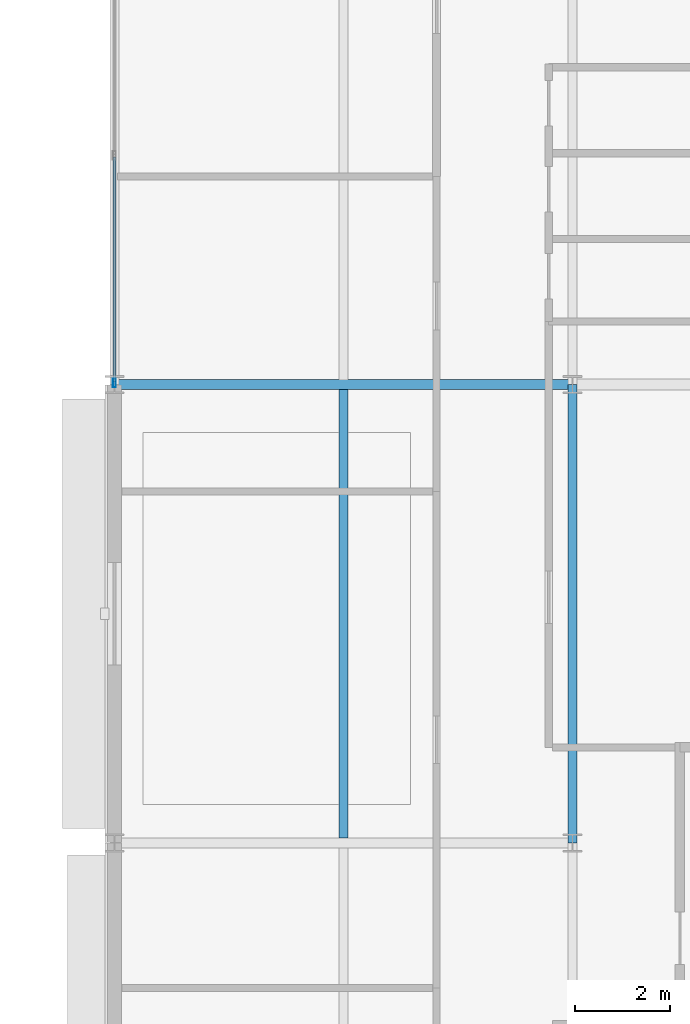
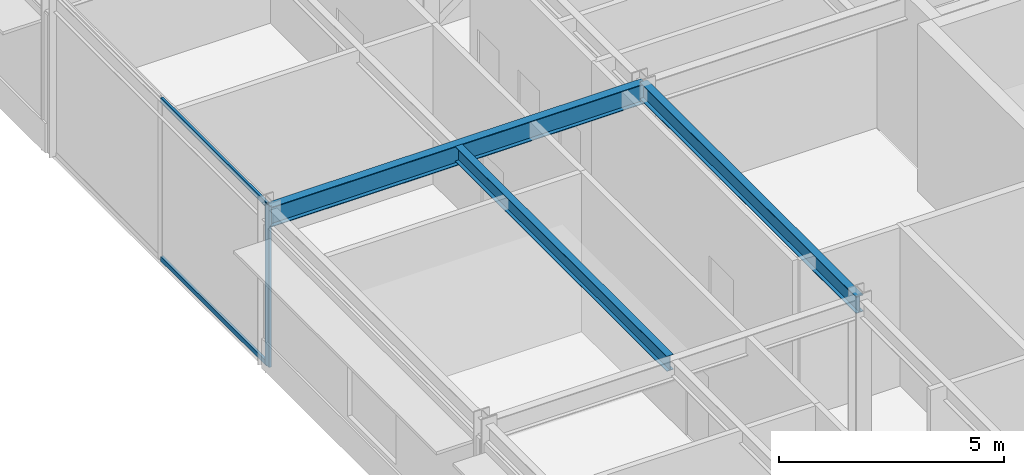
# One storey, part 68 of 116: 3 beams, 3 members, 1 element without a shape of its own.
"""IFC4 building model written with IfcOpenShell, lengths in metres."""

import ifcopenshell
import ifcopenshell.guid

model = None  # the IFC model being written
_history = None  # IfcOwnerHistory: only IFC2X3 demands one
_inside = {}  # id of a spatial element -> (the spatial element, [elements in it])
_under = {}  # id of a project, library or spatial element -> (it, [spatial elements below it])
_declared = {}  # id of a project -> (the project, [libraries it declares])
_typed = {}  # id of a type object -> (the type object, [elements of that type])
_made_of = {}  # id of a material, layer set ... -> (it, [elements and type objects made of it])


def new_model(schema):
    """Start an empty IFC model of exactly this schema.

    Asked for "IFC4X3", IfcOpenShell would pick the latest addendum, in which some entities
    have other attributes; the version numbers below select the first issue.
    IFC2X3 requires an IfcOwnerHistory on every rooted entity: one is made here for all.
    """
    global model, _history
    if schema == "IFC4X3":
        model = ifcopenshell.file(schema_version=(4, 3, 0, 0))
    else:
        model = ifcopenshell.file(schema=schema)
    _inside.clear()
    _under.clear()
    _declared.clear()
    _typed.clear()
    _made_of.clear()
    _history = None
    if model.schema == "IFC2X3":
        org = make("IfcOrganization", Name="unknown")
        user = make(
            "IfcPersonAndOrganization",
            ThePerson=make("IfcPerson", FamilyName="unknown"),
            TheOrganization=org,
        )
        app = make(
            "IfcApplication",
            ApplicationDeveloper=org,
            Version="unknown",
            ApplicationFullName="unknown",
            ApplicationIdentifier="unknown",
        )
        _history = make(
            "IfcOwnerHistory",
            OwningUser=user,
            OwningApplication=app,
            ChangeAction="ADDED",
            CreationDate=0,
        )
    return model


def make(cls, **values):
    """One entity of the class cls with the attributes given. An attribute that is None is left unset."""
    return model.create_entity(
        cls, **{name: value for name, value in values.items() if value is not None}
    )


def rooted(cls, **values):
    """An entity with a GlobalId (a new one), such as an element, a storey or a relation."""
    return make(cls, GlobalId=ifcopenshell.guid.new(), OwnerHistory=_history, **values)


def si_unit(unit_type, name, prefix=None):
    """IfcSIUnit, for example si_unit("LENGTHUNIT", "METRE", prefix="MILLI")."""
    return make("IfcSIUnit", UnitType=unit_type, Prefix=prefix, Name=name)


def assignment(units):
    """IfcUnitAssignment: the units of a project."""
    return None if units is None else make("IfcUnitAssignment", Units=units)


def point(xyz):
    """IfcCartesianPoint."""
    return None if xyz is None else make("IfcCartesianPoint", Coordinates=xyz)


def direction(xyz):
    """IfcDirection."""
    return None if xyz is None else make("IfcDirection", DirectionRatios=xyz)


def frame(location, z_axis=None, x_axis=None):
    """IfcAxis2Placement3D, a coordinate frame: its origin and axes. An axis left out is left unset."""
    return make(
        "IfcAxis2Placement3D",
        Location=point(location),
        Axis=direction(z_axis),
        RefDirection=direction(x_axis),
    )


def frame_2d(location, x_axis=None):
    """IfcAxis2Placement2D, a coordinate frame in the plane: its origin and x axis."""
    return make(
        "IfcAxis2Placement2D", Location=point(location), RefDirection=direction(x_axis)
    )


def origin():
    """The frame at (0, 0, 0) with its axes left unset."""
    return frame((0.0, 0.0, 0.0))


def origin_2d():
    """The frame at (0, 0) in the plane with its x axis left unset."""
    return frame_2d((0.0, 0.0))


def place(relative_to, where):
    """IfcLocalPlacement: puts the frame where relative to a parent placement (None: the world)."""
    return make(
        "IfcLocalPlacement", PlacementRelTo=relative_to, RelativePlacement=where
    )


def context(
    kind, dimensions, precision=None, world=None, true_north=None, identifier=None
):
    """IfcGeometricRepresentationContext, for example the 3D "Model" context."""
    return make(
        "IfcGeometricRepresentationContext",
        ContextIdentifier=identifier,
        ContextType=kind,
        CoordinateSpaceDimension=dimensions,
        Precision=precision,
        WorldCoordinateSystem=world,
        TrueNorth=true_north,
    )


def subcontext(parent, identifier, kind, view, scale=None):
    """IfcGeometricRepresentationSubContext, for example "Body" below "Model"."""
    return make(
        "IfcGeometricRepresentationSubContext",
        ContextIdentifier=identifier,
        ContextType=kind,
        ParentContext=parent,
        TargetScale=scale,
        TargetView=view,
    )


def project(units=None, contexts=None):
    """IfcProject with its units and contexts."""
    return rooted(
        "IfcProject",
        Name="project",
        RepresentationContexts=contexts,
        UnitsInContext=assignment(units),
    )


def spatial(cls, under=None, at=None, **own):
    """A site, building, storey or space (cls), placed at a placement, below another one or the project."""
    s = rooted(cls, ObjectPlacement=at, **own)
    if under is not None:
        _under.setdefault(under.id(), (under, []))[1].append(s)
    return s


def profile(cls, at=None, kind="AREA", **sizes):
    """A parametric profile (cls). Its sizes go by their IFC names, for example OverallWidth=200.0."""
    return make(cls, ProfileType=kind, Position=at, **sizes)


def hollow_rectangle(**sizes):
    """IfcRectangleHollowProfileDef."""
    return profile("IfcRectangleHollowProfileDef", **sizes)


def i_section(**sizes):
    """IfcIShapeProfileDef."""
    return profile("IfcIShapeProfileDef", **sizes)


def extrude(swept, where, along, depth):
    """IfcExtrudedAreaSolid: the profile swept, set in the frame where, extruded along a direction by depth."""
    return make(
        "IfcExtrudedAreaSolid",
        SweptArea=swept,
        Position=where,
        ExtrudedDirection=direction(along),
        Depth=depth,
    )


def shape(context_of_items, identifier, shape_type, items):
    """IfcShapeRepresentation: the items that make up one representation, for example the "Body"."""
    return make(
        "IfcShapeRepresentation",
        ContextOfItems=context_of_items,
        RepresentationIdentifier=identifier,
        RepresentationType=shape_type,
        Items=items,
    )


def material(Name=None, Category=None):
    """IfcMaterial."""
    return make("IfcMaterial", Name=Name, Category=Category)


def material_profile(
    of_material, cross_section, Name=None, Category=None, Priority=None
):
    """IfcMaterialProfile: a cross section and its material."""
    return make(
        "IfcMaterialProfile",
        Name=Name,
        Material=of_material,
        Profile=cross_section,
        Priority=Priority,
        Category=Category,
    )


def profile_set(profiles, Name=None, composite=None):
    """IfcMaterialProfileSet."""
    return make(
        "IfcMaterialProfileSet",
        Name=Name,
        MaterialProfiles=profiles,
        CompositeProfile=composite,
    )


def made_of(thing, what):
    """Note that an element or type object is made of a material, layer set ...; save() writes the relation."""
    if what is not None:
        _made_of.setdefault(what.id(), (what, []))[1].append(thing)
    return thing


def type_object(cls, material=None, **own):
    """A type object (cls), such as IfcWallType, which elements share."""
    return made_of(rooted(cls, **own), material)


def element(
    cls,
    number,
    at=None,
    inside=None,
    cuts=None,
    type_object=None,
    material=None,
    context=None,
    identifier="Body",
    shape_type=None,
    held_by="IfcProductDefinitionShape",
    body=None,
    shapes=None,
    **own,
):
    """One element of the class cls, such as IfcWall. Its Tag is "e" and its number.

    at: its placement. inside: the storey or other place that contains it. cuts: it is an
    opening in that element (IfcRelVoidsElement). A single representation is given by context,
    identifier, shape_type and body (its items); several are given by shapes. held_by: the class
    of the entity that holds the representations. save() writes the other relations.
    """
    e = rooted(cls, Tag="e%d" % number, ObjectPlacement=at, **own)
    if body is not None:
        shapes = [shape(context, identifier, shape_type, body)]
    if shapes is not None:
        e.Representation = make(held_by, Representations=shapes)
    if inside is not None:
        _inside.setdefault(inside.id(), (inside, []))[1].append(e)
    if cuts is not None:
        rooted(
            "IfcRelVoidsElement", RelatingBuildingElement=cuts, RelatedOpeningElement=e
        )
    if type_object is not None:
        _typed.setdefault(type_object.id(), (type_object, []))[1].append(e)
    return made_of(e, material)


def aggregate(whole, parts):
    """IfcRelAggregates: a whole, such as a stair, and the parts it consists of."""
    return rooted("IfcRelAggregates", RelatingObject=whole, RelatedObjects=parts)


def save(model, path):
    """Write the relations noted so far, then the file.

    IfcRelAggregates (storeys below a building ...), IfcRelContainedInSpatialStructure (elements
    in a storey), IfcRelDefinesByType, IfcRelAssociatesMaterial and IfcRelDeclares: one each for
    every whole, place, type object, material and project.
    """
    for whole, parts in _under.values():
        aggregate(whole, parts)
    for where, things in _inside.values():
        rooted(
            "IfcRelContainedInSpatialStructure",
            RelatedElements=things,
            RelatingStructure=where,
        )
    for kind, things in _typed.values():
        rooted("IfcRelDefinesByType", RelatedObjects=things, RelatingType=kind)
    for what, things in _made_of.values():
        rooted("IfcRelAssociatesMaterial", RelatedObjects=things, RelatingMaterial=what)
    for by, libraries in _declared.values():
        rooted("IfcRelDeclares", RelatingContext=by, RelatedDefinitions=libraries)
    model.write(path)


model = new_model("IFC4")

# Units and contexts
model_context = context("Model", 3, precision=1e-05, world=origin(), true_north=direction((0.0, 1.0)))
body_context = subcontext(model_context, "Body", "Model", "MODEL_VIEW")
ifc_project = project(units=[si_unit("LENGTHUNIT", "METRE"), si_unit("AREAUNIT", "SQUARE_METRE"), si_unit("VOLUMEUNIT", "CUBIC_METRE"), si_unit("PLANEANGLEUNIT", "RADIAN"), si_unit("MASSUNIT", "GRAM", prefix="KILO")], contexts=[model_context])

# Site, building, storey
site_placement = place(None, origin())
site = spatial("IfcSite", under=ifc_project, at=site_placement, CompositionType="ELEMENT")
building_placement = place(site_placement, origin())
building = spatial("IfcBuilding", under=site, at=building_placement, Name="Almandine Court Research Institute", CompositionType="ELEMENT")
storey_placement = place(building_placement, frame((0.0, 0.0, 14.35009765625)))
storey = spatial("IfcBuildingStorey", under=building, at=storey_placement, Name="L03", CompositionType="ELEMENT", Elevation=14.35009765625)

# Beams
ifc_material_1 = material(Name="Steel ASTM A992 Grade 50", Category="steel")
ifc_material_profile_1 = material_profile(ifc_material_1, i_section(OverallWidth=0.18994140625, OverallDepth=0.45703125, WebThickness=0.009033203125, FlangeThickness=0.014892578125, at=origin_2d()), Name="W460x74")
ifc_profile_set_1 = profile_set([ifc_material_profile_1], Name="Steel ASTM A992 Grade 50")
beam_type_1 = type_object("IfcBeamType", Name="Beam-B-01", PredefinedType="BEAM", material=ifc_profile_set_1)
beam_1_placement = place(storey_placement, frame((163.199951171875, 25.199951171875, 4.140869140625), z_axis=(0.0, 1.0, 0.0), x_axis=(-1.0, 0.0, 0.0)))
element("IfcBeam", 1, at=beam_1_placement, inside=storey, type_object=beam_type_1, Name="L03 V4 Primary Y Girder", PredefinedType="BEAM", context=body_context, shape_type="SweptSolid", body=[
    extrude(i_section(OverallWidth=0.18994140625, OverallDepth=0.45703125, WebThickness=0.009033203125, FlangeThickness=0.014892578125, at=origin_2d()), origin(), (0.0, 0.0, 1.0), 9.60009765625),
])
ifc_material_profile_2 = material_profile(ifc_material_1, i_section(OverallWidth=0.178955078125, OverallDepth=0.409912109375, WebThickness=0.009033203125, FlangeThickness=0.013916015625, at=origin_2d()), Name="W410x67")
ifc_profile_set_2 = profile_set([ifc_material_profile_2], Name="Steel ASTM A992 Grade 50")
beam_type_2 = type_object("IfcBeamType", Name="Beam-B-02", PredefinedType="JOIST", material=ifc_profile_set_2)
beam_2_placement = place(storey_placement, frame((158.39990234375, 25.302978515625, 4.164794921875), z_axis=(0.0, 1.0, 0.0), x_axis=(-1.0, 0.0, 0.0)))
element("IfcBeam", 2, at=beam_2_placement, inside=storey, type_object=beam_type_2, Name="L03 V4 Composite Secondary Beam", PredefinedType="JOIST", context=body_context, shape_type="SweptSolid", body=[
    extrude(i_section(OverallWidth=0.178955078125, OverallDepth=0.409912109375, WebThickness=0.009033203125, FlangeThickness=0.013916015625, at=origin_2d()), origin(), (0.0, 0.0, 1.0), 9.39404296875),
])
ifc_material_profile_3 = material_profile(ifc_material_1, i_section(OverallWidth=0.2109375, OverallDepth=0.5390625, WebThickness=0.011962890625, FlangeThickness=0.01904296875, at=origin_2d()), Name="W530x109")
ifc_profile_set_3 = profile_set([ifc_material_profile_3], Name="Steel ASTM A992 Grade 50")
beam_type_3 = type_object("IfcBeamType", Name="Beam-G-04", PredefinedType="BEAM", material=ifc_profile_set_3)
beam_3_placement = place(storey_placement, frame((153.60009765625, 34.800048828125, 4.099853515625), z_axis=(1.0, 0.0, 0.0), x_axis=(0.0, 1.0, 0.0)))
element("IfcBeam", 3, at=beam_3_placement, inside=storey, type_object=beam_type_3, Name="L03 V4 Primary X Girder", PredefinedType="BEAM", context=body_context, shape_type="SweptSolid", body=[
    extrude(i_section(OverallWidth=0.2109375, OverallDepth=0.5390625, WebThickness=0.011962890625, FlangeThickness=0.01904296875, at=origin_2d()), origin(), (0.0, 0.0, 1.0), 9.599853515625),
])

# Curtain wall, members
ifc_material_2 = material(Name="Unitised Curtain Wall Framing and Solar Glazing", Category="glass")
curtain_wall_type = type_object("IfcCurtainWallType", Name="CW-CWJ-02", PredefinedType="USERDEFINED", material=ifc_material_2)
curtain_wall_placement = place(storey_placement, origin())
curtain_wall = element("IfcCurtainWall", 4, at=curtain_wall_placement, inside=storey, type_object=curtain_wall_type, Name="L03 Wet Lab West Courtyard Jali Curtain Wall 4", ObjectType="SOLAR JALI SCREEN", PredefinedType="USERDEFINED")
ifc_material_3 = material(Name="Anodised Aluminium AW-6063-T6", Category="aluminium")
ifc_material_profile_4 = material_profile(ifc_material_3, hollow_rectangle(XDim=0.06494140625, YDim=0.179931640625, WallThickness=0.00390625, at=origin_2d()), Name="ALU RHS 65x180x4")
ifc_profile_set_4 = profile_set([ifc_material_profile_4], Name="Anodised Aluminium AW-6063-T6")
member_type_1 = type_object("IfcMemberType", Name="CWMul-65x180", PredefinedType="MULLION", material=ifc_profile_set_4)
member_1_placement = place(storey_placement, frame((153.60009765625, 34.83642578125, 0.0), z_axis=(0.0, 0.0, 1.0), x_axis=(-1.0, 0.0, 0.0)))
member_1 = element("IfcMember", 5, at=member_1_placement, type_object=member_type_1, Name="CWJ-02 mullion 1", PredefinedType="MULLION", context=body_context, shape_type="SweptSolid", body=[
    extrude(hollow_rectangle(XDim=0.06494140625, YDim=0.179931640625, WallThickness=0.00390625, at=origin_2d()), origin(), (0.0, 0.0, 1.0), 4.369873046875),
])
ifc_material_profile_5 = material_profile(ifc_material_3, hollow_rectangle(XDim=0.06494140625, YDim=0.1298828125, WallThickness=0.00390625, at=origin_2d()), Name="ALU RHS 65x130x4")
ifc_profile_set_5 = profile_set([ifc_material_profile_5], Name="Anodised Aluminium AW-6063-T6")
member_type_2 = type_object("IfcMemberType", Name="CWTrn-65x130", PredefinedType="NOTDEFINED", material=ifc_profile_set_5)
member_2_placement = place(storey_placement, frame((153.60009765625, 34.868896484375, 0.032470703125), z_axis=(0.0, 1.0, 0.0), x_axis=(-1.0, 0.0, 0.0)))
member_2 = element("IfcMember", 6, at=member_2_placement, type_object=member_type_2, Name="CWJ-02 transom 1.1", ObjectType="TRANSOM", PredefinedType="USERDEFINED", context=body_context, shape_type="SweptSolid", body=[
    extrude(hollow_rectangle(XDim=0.06494140625, YDim=0.1298828125, WallThickness=0.00390625, at=origin_2d()), origin(), (0.0, 0.0, 1.0), 4.698486328125),
])
member_3_placement = place(storey_placement, frame((153.60009765625, 34.868896484375, 4.33740234375), z_axis=(0.0, 1.0, 0.0), x_axis=(-1.0, 0.0, 0.0)))
member_3 = element("IfcMember", 7, at=member_3_placement, type_object=member_type_2, Name="CWJ-02 transom 1.2", ObjectType="TRANSOM", PredefinedType="USERDEFINED", context=body_context, shape_type="SweptSolid", body=[
    extrude(hollow_rectangle(XDim=0.06494140625, YDim=0.1298828125, WallThickness=0.00390625, at=origin_2d()), origin(), (0.0, 0.0, 1.0), 4.698486328125),
])
aggregate(curtain_wall, [member_1, member_2, member_3])

save(model, "model.ifc")
